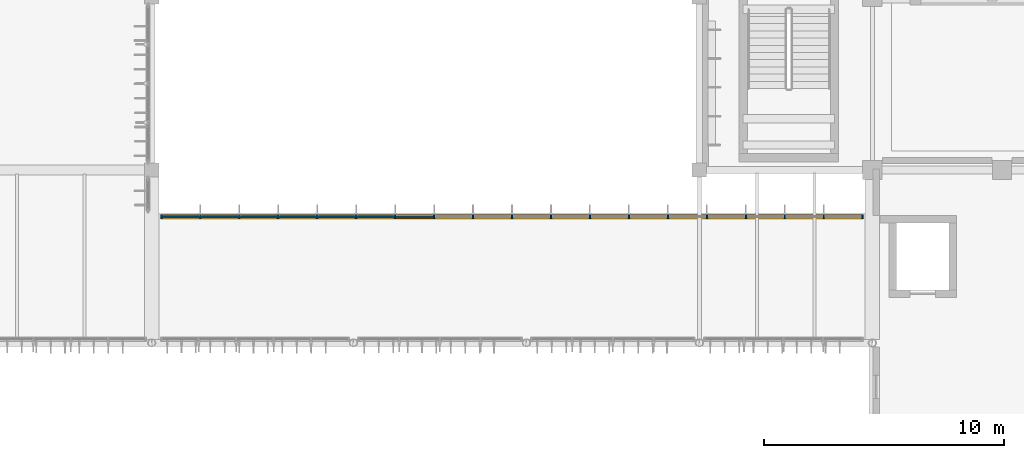
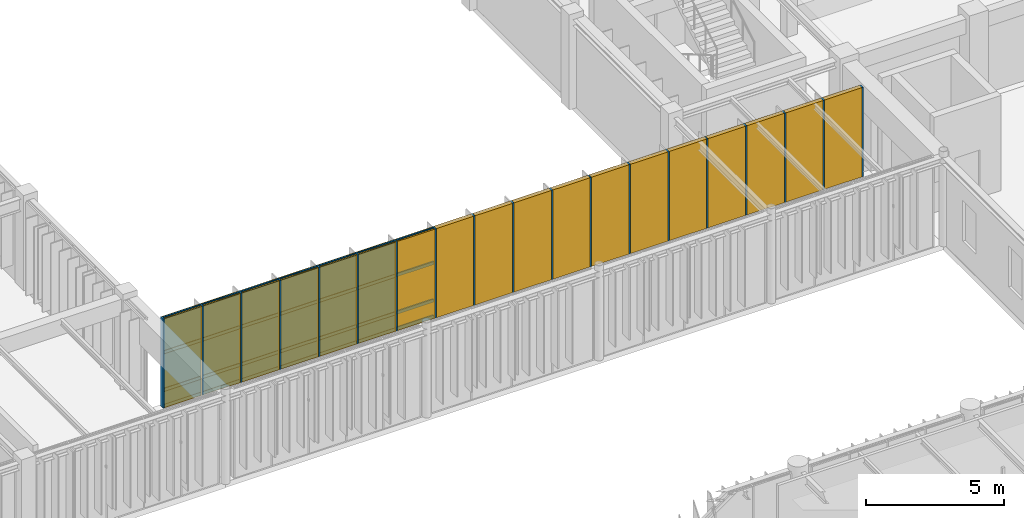
# One storey, part 77 of 122: 47 members, 18 plates, 1 curtain wall.
"""IFC4 building model written with IfcOpenShell, lengths in metres."""

import ifcopenshell
import ifcopenshell.guid

model = None  # the IFC model being written
_history = None  # IfcOwnerHistory: only IFC2X3 demands one
_inside = {}  # id of a spatial element -> (the spatial element, [elements in it])
_under = {}  # id of a project, library or spatial element -> (it, [spatial elements below it])
_declared = {}  # id of a project -> (the project, [libraries it declares])
_typed = {}  # id of a type object -> (the type object, [elements of that type])
_made_of = {}  # id of a material, layer set ... -> (it, [elements and type objects made of it])


def new_model(schema):
    """Start an empty IFC model of exactly this schema.

    Asked for "IFC4X3", IfcOpenShell would pick the latest addendum, in which some entities
    have other attributes; the version numbers below select the first issue.
    IFC2X3 requires an IfcOwnerHistory on every rooted entity: one is made here for all.
    """
    global model, _history
    if schema == "IFC4X3":
        model = ifcopenshell.file(schema_version=(4, 3, 0, 0))
    else:
        model = ifcopenshell.file(schema=schema)
    _inside.clear()
    _under.clear()
    _declared.clear()
    _typed.clear()
    _made_of.clear()
    _history = None
    if model.schema == "IFC2X3":
        org = make("IfcOrganization", Name="unknown")
        user = make(
            "IfcPersonAndOrganization",
            ThePerson=make("IfcPerson", FamilyName="unknown"),
            TheOrganization=org,
        )
        app = make(
            "IfcApplication",
            ApplicationDeveloper=org,
            Version="unknown",
            ApplicationFullName="unknown",
            ApplicationIdentifier="unknown",
        )
        _history = make(
            "IfcOwnerHistory",
            OwningUser=user,
            OwningApplication=app,
            ChangeAction="ADDED",
            CreationDate=0,
        )
    return model


def make(cls, **values):
    """One entity of the class cls with the attributes given. An attribute that is None is left unset."""
    return model.create_entity(
        cls, **{name: value for name, value in values.items() if value is not None}
    )


def rooted(cls, **values):
    """An entity with a GlobalId (a new one), such as an element, a storey or a relation."""
    return make(cls, GlobalId=ifcopenshell.guid.new(), OwnerHistory=_history, **values)


def si_unit(unit_type, name, prefix=None):
    """IfcSIUnit, for example si_unit("LENGTHUNIT", "METRE", prefix="MILLI")."""
    return make("IfcSIUnit", UnitType=unit_type, Prefix=prefix, Name=name)


def assignment(units):
    """IfcUnitAssignment: the units of a project."""
    return None if units is None else make("IfcUnitAssignment", Units=units)


def point(xyz):
    """IfcCartesianPoint."""
    return None if xyz is None else make("IfcCartesianPoint", Coordinates=xyz)


def direction(xyz):
    """IfcDirection."""
    return None if xyz is None else make("IfcDirection", DirectionRatios=xyz)


def frame(location, z_axis=None, x_axis=None):
    """IfcAxis2Placement3D, a coordinate frame: its origin and axes. An axis left out is left unset."""
    return make(
        "IfcAxis2Placement3D",
        Location=point(location),
        Axis=direction(z_axis),
        RefDirection=direction(x_axis),
    )


def frame_2d(location, x_axis=None):
    """IfcAxis2Placement2D, a coordinate frame in the plane: its origin and x axis."""
    return make(
        "IfcAxis2Placement2D", Location=point(location), RefDirection=direction(x_axis)
    )


def origin():
    """The frame at (0, 0, 0) with its axes left unset."""
    return frame((0.0, 0.0, 0.0))


def origin_2d():
    """The frame at (0, 0) in the plane with its x axis left unset."""
    return frame_2d((0.0, 0.0))


def place(relative_to, where):
    """IfcLocalPlacement: puts the frame where relative to a parent placement (None: the world)."""
    return make(
        "IfcLocalPlacement", PlacementRelTo=relative_to, RelativePlacement=where
    )


def context(
    kind, dimensions, precision=None, world=None, true_north=None, identifier=None
):
    """IfcGeometricRepresentationContext, for example the 3D "Model" context."""
    return make(
        "IfcGeometricRepresentationContext",
        ContextIdentifier=identifier,
        ContextType=kind,
        CoordinateSpaceDimension=dimensions,
        Precision=precision,
        WorldCoordinateSystem=world,
        TrueNorth=true_north,
    )


def subcontext(parent, identifier, kind, view, scale=None):
    """IfcGeometricRepresentationSubContext, for example "Body" below "Model"."""
    return make(
        "IfcGeometricRepresentationSubContext",
        ContextIdentifier=identifier,
        ContextType=kind,
        ParentContext=parent,
        TargetScale=scale,
        TargetView=view,
    )


def project(units=None, contexts=None):
    """IfcProject with its units and contexts."""
    return rooted(
        "IfcProject",
        Name="project",
        RepresentationContexts=contexts,
        UnitsInContext=assignment(units),
    )


def spatial(cls, under=None, at=None, **own):
    """A site, building, storey or space (cls), placed at a placement, below another one or the project."""
    s = rooted(cls, ObjectPlacement=at, **own)
    if under is not None:
        _under.setdefault(under.id(), (under, []))[1].append(s)
    return s


def profile(cls, at=None, kind="AREA", **sizes):
    """A parametric profile (cls). Its sizes go by their IFC names, for example OverallWidth=200.0."""
    return make(cls, ProfileType=kind, Position=at, **sizes)


def rectangle(**sizes):
    """IfcRectangleProfileDef."""
    return profile("IfcRectangleProfileDef", **sizes)


def extrude(swept, where, along, depth):
    """IfcExtrudedAreaSolid: the profile swept, set in the frame where, extruded along a direction by depth."""
    return make(
        "IfcExtrudedAreaSolid",
        SweptArea=swept,
        Position=where,
        ExtrudedDirection=direction(along),
        Depth=depth,
    )


def shape(context_of_items, identifier, shape_type, items):
    """IfcShapeRepresentation: the items that make up one representation, for example the "Body"."""
    return make(
        "IfcShapeRepresentation",
        ContextOfItems=context_of_items,
        RepresentationIdentifier=identifier,
        RepresentationType=shape_type,
        Items=items,
    )


def material(Name=None, Category=None):
    """IfcMaterial."""
    return make("IfcMaterial", Name=Name, Category=Category)


def layer(
    of_material, thickness, ventilated=None, Name=None, Category=None, Priority=None
):
    """IfcMaterialLayer: one layer of a wall or slab, of a material (None: an air gap)."""
    return make(
        "IfcMaterialLayer",
        Material=of_material,
        LayerThickness=thickness,
        IsVentilated=ventilated,
        Name=Name,
        Category=Category,
        Priority=Priority,
    )


def layer_set(layers, Name=None):
    """IfcMaterialLayerSet."""
    return make("IfcMaterialLayerSet", MaterialLayers=layers, LayerSetName=Name)


def material_profile(
    of_material, cross_section, Name=None, Category=None, Priority=None
):
    """IfcMaterialProfile: a cross section and its material."""
    return make(
        "IfcMaterialProfile",
        Name=Name,
        Material=of_material,
        Profile=cross_section,
        Priority=Priority,
        Category=Category,
    )


def profile_set(profiles, Name=None, composite=None):
    """IfcMaterialProfileSet."""
    return make(
        "IfcMaterialProfileSet",
        Name=Name,
        MaterialProfiles=profiles,
        CompositeProfile=composite,
    )


def made_of(thing, what):
    """Note that an element or type object is made of a material, layer set ...; save() writes the relation."""
    if what is not None:
        _made_of.setdefault(what.id(), (what, []))[1].append(thing)
    return thing


def type_object(cls, material=None, **own):
    """A type object (cls), such as IfcWallType, which elements share."""
    return made_of(rooted(cls, **own), material)


def element(
    cls,
    number,
    at=None,
    inside=None,
    cuts=None,
    type_object=None,
    material=None,
    context=None,
    identifier="Body",
    shape_type=None,
    held_by="IfcProductDefinitionShape",
    body=None,
    shapes=None,
    **own,
):
    """One element of the class cls, such as IfcWall. Its Tag is "e" and its number.

    at: its placement. inside: the storey or other place that contains it. cuts: it is an
    opening in that element (IfcRelVoidsElement). A single representation is given by context,
    identifier, shape_type and body (its items); several are given by shapes. held_by: the class
    of the entity that holds the representations. save() writes the other relations.
    """
    e = rooted(cls, Tag="e%d" % number, ObjectPlacement=at, **own)
    if body is not None:
        shapes = [shape(context, identifier, shape_type, body)]
    if shapes is not None:
        e.Representation = make(held_by, Representations=shapes)
    if inside is not None:
        _inside.setdefault(inside.id(), (inside, []))[1].append(e)
    if cuts is not None:
        rooted(
            "IfcRelVoidsElement", RelatingBuildingElement=cuts, RelatedOpeningElement=e
        )
    if type_object is not None:
        _typed.setdefault(type_object.id(), (type_object, []))[1].append(e)
    return made_of(e, material)


def aggregate(whole, parts):
    """IfcRelAggregates: a whole, such as a stair, and the parts it consists of."""
    return rooted("IfcRelAggregates", RelatingObject=whole, RelatedObjects=parts)


def save(model, path):
    """Write the relations noted so far, then the file.

    IfcRelAggregates (storeys below a building ...), IfcRelContainedInSpatialStructure (elements
    in a storey), IfcRelDefinesByType, IfcRelAssociatesMaterial and IfcRelDeclares: one each for
    every whole, place, type object, material and project.
    """
    for whole, parts in _under.values():
        aggregate(whole, parts)
    for where, things in _inside.values():
        rooted(
            "IfcRelContainedInSpatialStructure",
            RelatedElements=things,
            RelatingStructure=where,
        )
    for kind, things in _typed.values():
        rooted("IfcRelDefinesByType", RelatedObjects=things, RelatingType=kind)
    for what, things in _made_of.values():
        rooted("IfcRelAssociatesMaterial", RelatedObjects=things, RelatingMaterial=what)
    for by, libraries in _declared.values():
        rooted("IfcRelDeclares", RelatingContext=by, RelatedDefinitions=libraries)
    model.write(path)


model = new_model("IFC4")

# Units and contexts
model_context = context("Model", 3, precision=1e-05, world=origin(), true_north=direction((0.0, 1.0)))
body_context = subcontext(model_context, "Body", "Model", "MODEL_VIEW")
ifc_project = project(units=[si_unit("LENGTHUNIT", "METRE"), si_unit("AREAUNIT", "SQUARE_METRE"), si_unit("VOLUMEUNIT", "CUBIC_METRE"), si_unit("PLANEANGLEUNIT", "RADIAN"), si_unit("MASSUNIT", "GRAM", prefix="KILO")], contexts=[model_context])

# Member
ifc_material_1 = material(Name="Anodised Bronze Aluminium 6063-T6", Category="aluminium")
ifc_material_profile_1 = material_profile(ifc_material_1, rectangle(XDim=0.06005859375, YDim=0.179931640625, at=origin_2d()), Name="ALU MULLION 60x180")
ifc_profile_set_1 = profile_set([ifc_material_profile_1], Name="Anodised Bronze Aluminium 6063-T6")
member_type_1 = type_object("IfcMemberType", Name="Curtain-Wall Primary Mullion 60x180", PredefinedType="MULLION", material=ifc_profile_set_1)
site_placement = place(None, origin())
building_placement = place(site_placement, origin())
storey_placement = place(building_placement, frame((0.0, 0.0, 4.800048828125)))
member_1_placement = place(storey_placement, frame((28.0, 49.85009765625, 0.0), z_axis=(0.0, 0.0, 1.0), x_axis=(1.0, 0.0, 0.0)))
member_1 = element("IfcMember", 1, at=member_1_placement, type_object=member_type_1, Name="Mullion CWM-01 CW-WLNK-N-L01-M01", PredefinedType="MULLION", context=body_context, shape_type="SweptSolid", body=[
    extrude(rectangle(XDim=0.06005859375, YDim=0.179931640625, at=origin_2d()), origin(), (0.0, 0.0, 1.0), 3.93994140625),
])

member_2_placement = place(storey_placement, frame((29.622314453125, 49.85009765625, 0.0), z_axis=(0.0, 0.0, 1.0), x_axis=(1.0, 0.0, 0.0)))
member_2 = element("IfcMember", 2, at=member_2_placement, type_object=member_type_1, Name="Mullion CWM-01 CW-WLNK-N-L01-M02", PredefinedType="MULLION", context=body_context, shape_type="SweptSolid", body=[
    extrude(rectangle(XDim=0.06005859375, YDim=0.179931640625, at=origin_2d()), origin(), (0.0, 0.0, 1.0), 3.93994140625),
])

member_3_placement = place(storey_placement, frame((31.244384765625, 49.85009765625, 0.0), z_axis=(0.0, 0.0, 1.0), x_axis=(1.0, 0.0, 0.0)))
member_3 = element("IfcMember", 3, at=member_3_placement, type_object=member_type_1, Name="Mullion CWM-01 CW-WLNK-N-L01-M03", PredefinedType="MULLION", context=body_context, shape_type="SweptSolid", body=[
    extrude(rectangle(XDim=0.06005859375, YDim=0.179931640625, at=origin_2d()), origin(), (0.0, 0.0, 1.0), 3.93994140625),
])

member_4_placement = place(storey_placement, frame((32.86669921875, 49.85009765625, 0.0), z_axis=(0.0, 0.0, 1.0), x_axis=(1.0, 0.0, 0.0)))
member_4 = element("IfcMember", 4, at=member_4_placement, type_object=member_type_1, Name="Mullion CWM-01 CW-WLNK-N-L01-M04", PredefinedType="MULLION", context=body_context, shape_type="SweptSolid", body=[
    extrude(rectangle(XDim=0.06005859375, YDim=0.179931640625, at=origin_2d()), origin(), (0.0, 0.0, 1.0), 3.93994140625),
])

member_5_placement = place(storey_placement, frame((34.489013671875, 49.85009765625, 0.0), z_axis=(0.0, 0.0, 1.0), x_axis=(1.0, 0.0, 0.0)))
member_5 = element("IfcMember", 5, at=member_5_placement, type_object=member_type_1, Name="Mullion CWM-01 CW-WLNK-N-L01-M05", PredefinedType="MULLION", context=body_context, shape_type="SweptSolid", body=[
    extrude(rectangle(XDim=0.06005859375, YDim=0.179931640625, at=origin_2d()), origin(), (0.0, 0.0, 1.0), 3.93994140625),
])

member_6_placement = place(storey_placement, frame((36.111083984375, 49.85009765625, 0.0), z_axis=(0.0, 0.0, 1.0), x_axis=(1.0, 0.0, 0.0)))
member_6 = element("IfcMember", 6, at=member_6_placement, type_object=member_type_1, Name="Mullion CWM-01 CW-WLNK-N-L01-M06", PredefinedType="MULLION", context=body_context, shape_type="SweptSolid", body=[
    extrude(rectangle(XDim=0.06005859375, YDim=0.179931640625, at=origin_2d()), origin(), (0.0, 0.0, 1.0), 3.93994140625),
])

member_7_placement = place(storey_placement, frame((37.7333984375, 49.85009765625, 0.0), z_axis=(0.0, 0.0, 1.0), x_axis=(1.0, 0.0, 0.0)))
member_7 = element("IfcMember", 7, at=member_7_placement, type_object=member_type_1, Name="Mullion CWM-01 CW-WLNK-N-L01-M07", PredefinedType="MULLION", context=body_context, shape_type="SweptSolid", body=[
    extrude(rectangle(XDim=0.06005859375, YDim=0.179931640625, at=origin_2d()), origin(), (0.0, 0.0, 1.0), 3.93994140625),
])

member_8_placement = place(storey_placement, frame((39.355712890625, 49.85009765625, 0.0), z_axis=(0.0, 0.0, 1.0), x_axis=(1.0, 0.0, 0.0)))
member_8 = element("IfcMember", 8, at=member_8_placement, type_object=member_type_1, Name="Mullion CWM-01 CW-WLNK-N-L01-M08", PredefinedType="MULLION", context=body_context, shape_type="SweptSolid", body=[
    extrude(rectangle(XDim=0.06005859375, YDim=0.179931640625, at=origin_2d()), origin(), (0.0, 0.0, 1.0), 3.93994140625),
])

member_9_placement = place(storey_placement, frame((40.977783203125, 49.85009765625, 0.0), z_axis=(0.0, 0.0, 1.0), x_axis=(1.0, 0.0, 0.0)))
member_9 = element("IfcMember", 9, at=member_9_placement, type_object=member_type_1, Name="Mullion CWM-01 CW-WLNK-N-L01-M09", PredefinedType="MULLION", context=body_context, shape_type="SweptSolid", body=[
    extrude(rectangle(XDim=0.06005859375, YDim=0.179931640625, at=origin_2d()), origin(), (0.0, 0.0, 1.0), 3.93994140625),
])

member_10_placement = place(storey_placement, frame((42.60009765625, 49.85009765625, 0.0), z_axis=(0.0, 0.0, 1.0), x_axis=(1.0, 0.0, 0.0)))
member_10 = element("IfcMember", 10, at=member_10_placement, type_object=member_type_1, Name="Mullion CWM-01 CW-WLNK-N-L01-M10", PredefinedType="MULLION", context=body_context, shape_type="SweptSolid", body=[
    extrude(rectangle(XDim=0.06005859375, YDim=0.179931640625, at=origin_2d()), origin(), (0.0, 0.0, 1.0), 3.93994140625),
])

member_11_placement = place(storey_placement, frame((44.22216796875, 49.85009765625, 0.0), z_axis=(0.0, 0.0, 1.0), x_axis=(1.0, 0.0, 0.0)))
member_11 = element("IfcMember", 11, at=member_11_placement, type_object=member_type_1, Name="Mullion CWM-01 CW-WLNK-N-L01-M11", PredefinedType="MULLION", context=body_context, shape_type="SweptSolid", body=[
    extrude(rectangle(XDim=0.06005859375, YDim=0.179931640625, at=origin_2d()), origin(), (0.0, 0.0, 1.0), 3.93994140625),
])

member_12_placement = place(storey_placement, frame((45.844482421875, 49.85009765625, 0.0), z_axis=(0.0, 0.0, 1.0), x_axis=(1.0, 0.0, 0.0)))
member_12 = element("IfcMember", 12, at=member_12_placement, type_object=member_type_1, Name="Mullion CWM-01 CW-WLNK-N-L01-M12", PredefinedType="MULLION", context=body_context, shape_type="SweptSolid", body=[
    extrude(rectangle(XDim=0.06005859375, YDim=0.179931640625, at=origin_2d()), origin(), (0.0, 0.0, 1.0), 3.93994140625),
])

member_13_placement = place(storey_placement, frame((47.466796875, 49.85009765625, 0.0), z_axis=(0.0, 0.0, 1.0), x_axis=(1.0, 0.0, 0.0)))
member_13 = element("IfcMember", 13, at=member_13_placement, type_object=member_type_1, Name="Mullion CWM-01 CW-WLNK-N-L01-M13", PredefinedType="MULLION", context=body_context, shape_type="SweptSolid", body=[
    extrude(rectangle(XDim=0.06005859375, YDim=0.179931640625, at=origin_2d()), origin(), (0.0, 0.0, 1.0), 3.93994140625),
])

member_14_placement = place(storey_placement, frame((49.0888671875, 49.85009765625, 0.0), z_axis=(0.0, 0.0, 1.0), x_axis=(1.0, 0.0, 0.0)))
member_14 = element("IfcMember", 14, at=member_14_placement, type_object=member_type_1, Name="Mullion CWM-01 CW-WLNK-N-L01-M14", PredefinedType="MULLION", context=body_context, shape_type="SweptSolid", body=[
    extrude(rectangle(XDim=0.06005859375, YDim=0.179931640625, at=origin_2d()), origin(), (0.0, 0.0, 1.0), 3.93994140625),
])

member_15_placement = place(storey_placement, frame((50.711181640625, 49.85009765625, 0.0), z_axis=(0.0, 0.0, 1.0), x_axis=(1.0, 0.0, 0.0)))
member_15 = element("IfcMember", 15, at=member_15_placement, type_object=member_type_1, Name="Mullion CWM-01 CW-WLNK-N-L01-M15", PredefinedType="MULLION", context=body_context, shape_type="SweptSolid", body=[
    extrude(rectangle(XDim=0.06005859375, YDim=0.179931640625, at=origin_2d()), origin(), (0.0, 0.0, 1.0), 3.93994140625),
])

member_16_placement = place(storey_placement, frame((52.333251953125, 49.85009765625, 0.0), z_axis=(0.0, 0.0, 1.0), x_axis=(1.0, 0.0, 0.0)))
member_16 = element("IfcMember", 16, at=member_16_placement, type_object=member_type_1, Name="Mullion CWM-01 CW-WLNK-N-L01-M16", PredefinedType="MULLION", context=body_context, shape_type="SweptSolid", body=[
    extrude(rectangle(XDim=0.06005859375, YDim=0.179931640625, at=origin_2d()), origin(), (0.0, 0.0, 1.0), 3.93994140625),
])

member_17_placement = place(storey_placement, frame((53.95556640625, 49.85009765625, 0.0), z_axis=(0.0, 0.0, 1.0), x_axis=(1.0, 0.0, 0.0)))
member_17 = element("IfcMember", 17, at=member_17_placement, type_object=member_type_1, Name="Mullion CWM-01 CW-WLNK-N-L01-M17", PredefinedType="MULLION", context=body_context, shape_type="SweptSolid", body=[
    extrude(rectangle(XDim=0.06005859375, YDim=0.179931640625, at=origin_2d()), origin(), (0.0, 0.0, 1.0), 3.93994140625),
])

member_18_placement = place(storey_placement, frame((55.577880859375, 49.85009765625, 0.0), z_axis=(0.0, 0.0, 1.0), x_axis=(1.0, 0.0, 0.0)))
member_18 = element("IfcMember", 18, at=member_18_placement, type_object=member_type_1, Name="Mullion CWM-01 CW-WLNK-N-L01-M18", PredefinedType="MULLION", context=body_context, shape_type="SweptSolid", body=[
    extrude(rectangle(XDim=0.06005859375, YDim=0.179931640625, at=origin_2d()), origin(), (0.0, 0.0, 1.0), 3.93994140625),
])

member_19_placement = place(storey_placement, frame((57.199951171875, 49.85009765625, 0.0), z_axis=(0.0, 0.0, 1.0), x_axis=(1.0, 0.0, 0.0)))
member_19 = element("IfcMember", 19, at=member_19_placement, type_object=member_type_1, Name="Mullion CWM-01 CW-WLNK-N-L01-M19", PredefinedType="MULLION", context=body_context, shape_type="SweptSolid", body=[
    extrude(rectangle(XDim=0.06005859375, YDim=0.179931640625, at=origin_2d()), origin(), (0.0, 0.0, 1.0), 3.93994140625),
])

ifc_material_profile_2 = material_profile(ifc_material_1, rectangle(XDim=0.06005859375, YDim=0.139892578125, at=origin_2d()), Name="ALU TRANSOM 60x140")
ifc_profile_set_2 = profile_set([ifc_material_profile_2], Name="Anodised Bronze Aluminium 6063-T6")
member_type_2 = type_object("IfcMemberType", Name="Curtain-Wall Transom 60x140", PredefinedType="USERDEFINED", material=ifc_profile_set_2)
member_20_placement = place(storey_placement, frame((28.034912109375, 49.85009765625, 0.0400390625), z_axis=(1.0, 0.0, 0.0), x_axis=(0.0, 1.0, 0.0)))
member_20 = element("IfcMember", 20, at=member_20_placement, type_object=member_type_2, Name="Transom CWT-01 CW-WLNK-N-L01-T01.1", ObjectType="TRANSOM", PredefinedType="USERDEFINED", context=body_context, shape_type="SweptSolid", body=[
    extrude(rectangle(XDim=0.06005859375, YDim=0.139892578125, at=origin_2d()), origin(), (0.0, 0.0, 1.0), 1.55224609375),
])

member_21_placement = place(storey_placement, frame((28.034912109375, 49.85009765625, 0.75), z_axis=(1.0, 0.0, 0.0), x_axis=(0.0, 1.0, 0.0)))
member_21 = element("IfcMember", 21, at=member_21_placement, type_object=member_type_2, Name="Transom CWT-01 CW-WLNK-N-L01-T01.2", ObjectType="TRANSOM", PredefinedType="USERDEFINED", context=body_context, shape_type="SweptSolid", body=[
    extrude(rectangle(XDim=0.06005859375, YDim=0.139892578125, at=origin_2d()), origin(), (0.0, 0.0, 1.0), 1.55224609375),
])

member_22_placement = place(storey_placement, frame((28.034912109375, 49.85009765625, 2.40869140625), z_axis=(1.0, 0.0, 0.0), x_axis=(0.0, 1.0, 0.0)))
member_22 = element("IfcMember", 22, at=member_22_placement, type_object=member_type_2, Name="Transom CWT-01 CW-WLNK-N-L01-T01.3", ObjectType="TRANSOM", PredefinedType="USERDEFINED", context=body_context, shape_type="SweptSolid", body=[
    extrude(rectangle(XDim=0.06005859375, YDim=0.139892578125, at=origin_2d()), origin(), (0.0, 0.0, 1.0), 1.55224609375),
])

member_23_placement = place(storey_placement, frame((28.034912109375, 49.85009765625, 3.89990234375), z_axis=(1.0, 0.0, 0.0), x_axis=(0.0, 1.0, 0.0)))
member_23 = element("IfcMember", 23, at=member_23_placement, type_object=member_type_2, Name="Transom CWT-01 CW-WLNK-N-L01-T01.4", ObjectType="TRANSOM", PredefinedType="USERDEFINED", context=body_context, shape_type="SweptSolid", body=[
    extrude(rectangle(XDim=0.06005859375, YDim=0.139892578125, at=origin_2d()), origin(), (0.0, 0.0, 1.0), 1.55224609375),
])

member_24_placement = place(storey_placement, frame((29.6572265625, 49.85009765625, 0.0400390625), z_axis=(1.0, 0.0, 0.0), x_axis=(0.0, 1.0, 0.0)))
member_24 = element("IfcMember", 24, at=member_24_placement, type_object=member_type_2, Name="Transom CWT-01 CW-WLNK-N-L01-T02.1", ObjectType="TRANSOM", PredefinedType="USERDEFINED", context=body_context, shape_type="SweptSolid", body=[
    extrude(rectangle(XDim=0.06005859375, YDim=0.139892578125, at=origin_2d()), origin(), (0.0, 0.0, 1.0), 1.55224609375),
])

member_25_placement = place(storey_placement, frame((29.6572265625, 49.85009765625, 0.75), z_axis=(1.0, 0.0, 0.0), x_axis=(0.0, 1.0, 0.0)))
member_25 = element("IfcMember", 25, at=member_25_placement, type_object=member_type_2, Name="Transom CWT-01 CW-WLNK-N-L01-T02.2", ObjectType="TRANSOM", PredefinedType="USERDEFINED", context=body_context, shape_type="SweptSolid", body=[
    extrude(rectangle(XDim=0.06005859375, YDim=0.139892578125, at=origin_2d()), origin(), (0.0, 0.0, 1.0), 1.55224609375),
])

member_26_placement = place(storey_placement, frame((29.6572265625, 49.85009765625, 2.40869140625), z_axis=(1.0, 0.0, 0.0), x_axis=(0.0, 1.0, 0.0)))
member_26 = element("IfcMember", 26, at=member_26_placement, type_object=member_type_2, Name="Transom CWT-01 CW-WLNK-N-L01-T02.3", ObjectType="TRANSOM", PredefinedType="USERDEFINED", context=body_context, shape_type="SweptSolid", body=[
    extrude(rectangle(XDim=0.06005859375, YDim=0.139892578125, at=origin_2d()), origin(), (0.0, 0.0, 1.0), 1.55224609375),
])

member_27_placement = place(storey_placement, frame((29.6572265625, 49.85009765625, 3.89990234375), z_axis=(1.0, 0.0, 0.0), x_axis=(0.0, 1.0, 0.0)))
member_27 = element("IfcMember", 27, at=member_27_placement, type_object=member_type_2, Name="Transom CWT-01 CW-WLNK-N-L01-T02.4", ObjectType="TRANSOM", PredefinedType="USERDEFINED", context=body_context, shape_type="SweptSolid", body=[
    extrude(rectangle(XDim=0.06005859375, YDim=0.139892578125, at=origin_2d()), origin(), (0.0, 0.0, 1.0), 1.55224609375),
])

member_28_placement = place(storey_placement, frame((31.279296875, 49.85009765625, 0.0400390625), z_axis=(1.0, 0.0, 0.0), x_axis=(0.0, 1.0, 0.0)))
member_28 = element("IfcMember", 28, at=member_28_placement, type_object=member_type_2, Name="Transom CWT-01 CW-WLNK-N-L01-T03.1", ObjectType="TRANSOM", PredefinedType="USERDEFINED", context=body_context, shape_type="SweptSolid", body=[
    extrude(rectangle(XDim=0.06005859375, YDim=0.139892578125, at=origin_2d()), origin(), (0.0, 0.0, 1.0), 1.552490234375),
])

member_29_placement = place(storey_placement, frame((31.279296875, 49.85009765625, 0.75), z_axis=(1.0, 0.0, 0.0), x_axis=(0.0, 1.0, 0.0)))
member_29 = element("IfcMember", 29, at=member_29_placement, type_object=member_type_2, Name="Transom CWT-01 CW-WLNK-N-L01-T03.2", ObjectType="TRANSOM", PredefinedType="USERDEFINED", context=body_context, shape_type="SweptSolid", body=[
    extrude(rectangle(XDim=0.06005859375, YDim=0.139892578125, at=origin_2d()), origin(), (0.0, 0.0, 1.0), 1.552490234375),
])

member_30_placement = place(storey_placement, frame((31.279296875, 49.85009765625, 2.40869140625), z_axis=(1.0, 0.0, 0.0), x_axis=(0.0, 1.0, 0.0)))
member_30 = element("IfcMember", 30, at=member_30_placement, type_object=member_type_2, Name="Transom CWT-01 CW-WLNK-N-L01-T03.3", ObjectType="TRANSOM", PredefinedType="USERDEFINED", context=body_context, shape_type="SweptSolid", body=[
    extrude(rectangle(XDim=0.06005859375, YDim=0.139892578125, at=origin_2d()), origin(), (0.0, 0.0, 1.0), 1.552490234375),
])

member_31_placement = place(storey_placement, frame((31.279296875, 49.85009765625, 3.89990234375), z_axis=(1.0, 0.0, 0.0), x_axis=(0.0, 1.0, 0.0)))
member_31 = element("IfcMember", 31, at=member_31_placement, type_object=member_type_2, Name="Transom CWT-01 CW-WLNK-N-L01-T03.4", ObjectType="TRANSOM", PredefinedType="USERDEFINED", context=body_context, shape_type="SweptSolid", body=[
    extrude(rectangle(XDim=0.06005859375, YDim=0.139892578125, at=origin_2d()), origin(), (0.0, 0.0, 1.0), 1.552490234375),
])

member_32_placement = place(storey_placement, frame((32.901611328125, 49.85009765625, 0.0400390625), z_axis=(1.0, 0.0, 0.0), x_axis=(0.0, 1.0, 0.0)))
member_32 = element("IfcMember", 32, at=member_32_placement, type_object=member_type_2, Name="Transom CWT-01 CW-WLNK-N-L01-T04.1", ObjectType="TRANSOM", PredefinedType="USERDEFINED", context=body_context, shape_type="SweptSolid", body=[
    extrude(rectangle(XDim=0.06005859375, YDim=0.139892578125, at=origin_2d()), origin(), (0.0, 0.0, 1.0), 1.55224609375),
])

member_33_placement = place(storey_placement, frame((32.901611328125, 49.85009765625, 0.75), z_axis=(1.0, 0.0, 0.0), x_axis=(0.0, 1.0, 0.0)))
member_33 = element("IfcMember", 33, at=member_33_placement, type_object=member_type_2, Name="Transom CWT-01 CW-WLNK-N-L01-T04.2", ObjectType="TRANSOM", PredefinedType="USERDEFINED", context=body_context, shape_type="SweptSolid", body=[
    extrude(rectangle(XDim=0.06005859375, YDim=0.139892578125, at=origin_2d()), origin(), (0.0, 0.0, 1.0), 1.55224609375),
])

member_34_placement = place(storey_placement, frame((32.901611328125, 49.85009765625, 2.40869140625), z_axis=(1.0, 0.0, 0.0), x_axis=(0.0, 1.0, 0.0)))
member_34 = element("IfcMember", 34, at=member_34_placement, type_object=member_type_2, Name="Transom CWT-01 CW-WLNK-N-L01-T04.3", ObjectType="TRANSOM", PredefinedType="USERDEFINED", context=body_context, shape_type="SweptSolid", body=[
    extrude(rectangle(XDim=0.06005859375, YDim=0.139892578125, at=origin_2d()), origin(), (0.0, 0.0, 1.0), 1.55224609375),
])

member_35_placement = place(storey_placement, frame((32.901611328125, 49.85009765625, 3.89990234375), z_axis=(1.0, 0.0, 0.0), x_axis=(0.0, 1.0, 0.0)))
member_35 = element("IfcMember", 35, at=member_35_placement, type_object=member_type_2, Name="Transom CWT-01 CW-WLNK-N-L01-T04.4", ObjectType="TRANSOM", PredefinedType="USERDEFINED", context=body_context, shape_type="SweptSolid", body=[
    extrude(rectangle(XDim=0.06005859375, YDim=0.139892578125, at=origin_2d()), origin(), (0.0, 0.0, 1.0), 1.55224609375),
])

member_36_placement = place(storey_placement, frame((34.52392578125, 49.85009765625, 0.0400390625), z_axis=(1.0, 0.0, 0.0), x_axis=(0.0, 1.0, 0.0)))
member_36 = element("IfcMember", 36, at=member_36_placement, type_object=member_type_2, Name="Transom CWT-01 CW-WLNK-N-L01-T05.1", ObjectType="TRANSOM", PredefinedType="USERDEFINED", context=body_context, shape_type="SweptSolid", body=[
    extrude(rectangle(XDim=0.06005859375, YDim=0.139892578125, at=origin_2d()), origin(), (0.0, 0.0, 1.0), 1.55224609375),
])

member_37_placement = place(storey_placement, frame((34.52392578125, 49.85009765625, 0.75), z_axis=(1.0, 0.0, 0.0), x_axis=(0.0, 1.0, 0.0)))
member_37 = element("IfcMember", 37, at=member_37_placement, type_object=member_type_2, Name="Transom CWT-01 CW-WLNK-N-L01-T05.2", ObjectType="TRANSOM", PredefinedType="USERDEFINED", context=body_context, shape_type="SweptSolid", body=[
    extrude(rectangle(XDim=0.06005859375, YDim=0.139892578125, at=origin_2d()), origin(), (0.0, 0.0, 1.0), 1.55224609375),
])

member_38_placement = place(storey_placement, frame((34.52392578125, 49.85009765625, 2.40869140625), z_axis=(1.0, 0.0, 0.0), x_axis=(0.0, 1.0, 0.0)))
member_38 = element("IfcMember", 38, at=member_38_placement, type_object=member_type_2, Name="Transom CWT-01 CW-WLNK-N-L01-T05.3", ObjectType="TRANSOM", PredefinedType="USERDEFINED", context=body_context, shape_type="SweptSolid", body=[
    extrude(rectangle(XDim=0.06005859375, YDim=0.139892578125, at=origin_2d()), origin(), (0.0, 0.0, 1.0), 1.55224609375),
])

member_39_placement = place(storey_placement, frame((34.52392578125, 49.85009765625, 3.89990234375), z_axis=(1.0, 0.0, 0.0), x_axis=(0.0, 1.0, 0.0)))
member_39 = element("IfcMember", 39, at=member_39_placement, type_object=member_type_2, Name="Transom CWT-01 CW-WLNK-N-L01-T05.4", ObjectType="TRANSOM", PredefinedType="USERDEFINED", context=body_context, shape_type="SweptSolid", body=[
    extrude(rectangle(XDim=0.06005859375, YDim=0.139892578125, at=origin_2d()), origin(), (0.0, 0.0, 1.0), 1.55224609375),
])

member_40_placement = place(storey_placement, frame((36.14599609375, 49.85009765625, 0.0400390625), z_axis=(1.0, 0.0, 0.0), x_axis=(0.0, 1.0, 0.0)))
member_40 = element("IfcMember", 40, at=member_40_placement, type_object=member_type_2, Name="Transom CWT-01 CW-WLNK-N-L01-T06.1", ObjectType="TRANSOM", PredefinedType="USERDEFINED", context=body_context, shape_type="SweptSolid", body=[
    extrude(rectangle(XDim=0.06005859375, YDim=0.139892578125, at=origin_2d()), origin(), (0.0, 0.0, 1.0), 1.55224609375),
])

member_41_placement = place(storey_placement, frame((36.14599609375, 49.85009765625, 0.75), z_axis=(1.0, 0.0, 0.0), x_axis=(0.0, 1.0, 0.0)))
member_41 = element("IfcMember", 41, at=member_41_placement, type_object=member_type_2, Name="Transom CWT-01 CW-WLNK-N-L01-T06.2", ObjectType="TRANSOM", PredefinedType="USERDEFINED", context=body_context, shape_type="SweptSolid", body=[
    extrude(rectangle(XDim=0.06005859375, YDim=0.139892578125, at=origin_2d()), origin(), (0.0, 0.0, 1.0), 1.55224609375),
])

member_42_placement = place(storey_placement, frame((36.14599609375, 49.85009765625, 2.40869140625), z_axis=(1.0, 0.0, 0.0), x_axis=(0.0, 1.0, 0.0)))
member_42 = element("IfcMember", 42, at=member_42_placement, type_object=member_type_2, Name="Transom CWT-01 CW-WLNK-N-L01-T06.3", ObjectType="TRANSOM", PredefinedType="USERDEFINED", context=body_context, shape_type="SweptSolid", body=[
    extrude(rectangle(XDim=0.06005859375, YDim=0.139892578125, at=origin_2d()), origin(), (0.0, 0.0, 1.0), 1.55224609375),
])

member_43_placement = place(storey_placement, frame((36.14599609375, 49.85009765625, 3.89990234375), z_axis=(1.0, 0.0, 0.0), x_axis=(0.0, 1.0, 0.0)))
member_43 = element("IfcMember", 43, at=member_43_placement, type_object=member_type_2, Name="Transom CWT-01 CW-WLNK-N-L01-T06.4", ObjectType="TRANSOM", PredefinedType="USERDEFINED", context=body_context, shape_type="SweptSolid", body=[
    extrude(rectangle(XDim=0.06005859375, YDim=0.139892578125, at=origin_2d()), origin(), (0.0, 0.0, 1.0), 1.55224609375),
])

member_44_placement = place(storey_placement, frame((37.768310546875, 49.85009765625, 0.0400390625), z_axis=(1.0, 0.0, 0.0), x_axis=(0.0, 1.0, 0.0)))
member_44 = element("IfcMember", 44, at=member_44_placement, type_object=member_type_2, Name="Transom CWT-01 CW-WLNK-N-L01-T07.1", ObjectType="TRANSOM", PredefinedType="USERDEFINED", context=body_context, shape_type="SweptSolid", body=[
    extrude(rectangle(XDim=0.06005859375, YDim=0.139892578125, at=origin_2d()), origin(), (0.0, 0.0, 1.0), 1.55224609375),
])

member_45_placement = place(storey_placement, frame((37.768310546875, 49.85009765625, 0.75), z_axis=(1.0, 0.0, 0.0), x_axis=(0.0, 1.0, 0.0)))
member_45 = element("IfcMember", 45, at=member_45_placement, type_object=member_type_2, Name="Transom CWT-01 CW-WLNK-N-L01-T07.2", ObjectType="TRANSOM", PredefinedType="USERDEFINED", context=body_context, shape_type="SweptSolid", body=[
    extrude(rectangle(XDim=0.06005859375, YDim=0.139892578125, at=origin_2d()), origin(), (0.0, 0.0, 1.0), 1.55224609375),
])

member_46_placement = place(storey_placement, frame((37.768310546875, 49.85009765625, 2.40869140625), z_axis=(1.0, 0.0, 0.0), x_axis=(0.0, 1.0, 0.0)))
member_46 = element("IfcMember", 46, at=member_46_placement, type_object=member_type_2, Name="Transom CWT-01 CW-WLNK-N-L01-T07.3", ObjectType="TRANSOM", PredefinedType="USERDEFINED", context=body_context, shape_type="SweptSolid", body=[
    extrude(rectangle(XDim=0.06005859375, YDim=0.139892578125, at=origin_2d()), origin(), (0.0, 0.0, 1.0), 1.55224609375),
])

member_47_placement = place(storey_placement, frame((37.768310546875, 49.85009765625, 3.89990234375), z_axis=(1.0, 0.0, 0.0), x_axis=(0.0, 1.0, 0.0)))
member_47 = element("IfcMember", 47, at=member_47_placement, type_object=member_type_2, Name="Transom CWT-01 CW-WLNK-N-L01-T07.4", ObjectType="TRANSOM", PredefinedType="USERDEFINED", context=body_context, shape_type="SweptSolid", body=[
    extrude(rectangle(XDim=0.06005859375, YDim=0.139892578125, at=origin_2d()), origin(), (0.0, 0.0, 1.0), 1.55224609375),
])

# Plate
ifc_material_2 = material(Name="Insulated Bronze Aluminium Spandrel Panel", Category="aluminium")
ifc_layer_1 = layer(ifc_material_2, 0.050048828125, Name="Insulated Bronze Aluminium Spandrel Panel")
ifc_layer_set_1 = layer_set([ifc_layer_1], Name="Insulated Bronze Aluminium Spandrel Panel")
plate_type_1 = type_object("IfcPlateType", Name="Insulated Anodised Aluminium Spandrel Cassette 50", PredefinedType="CURTAIN_PANEL", material=ifc_layer_set_1)
plate_1_placement = place(storey_placement, frame((28.81103515625, 49.85009765625, 0.070068359375), z_axis=(0.0, 0.0, 1.0), x_axis=(1.0, 0.0, 0.0)))
plate_1 = element("IfcPlate", 48, at=plate_1_placement, type_object=plate_type_1, Name="Curtain Panel CWP-03 CW-WLNK-N-L01-P01.1", PredefinedType="CURTAIN_PANEL", context=body_context, shape_type="SweptSolid", body=[
    extrude(rectangle(XDim=1.55224609375, YDim=0.050048828125, at=origin_2d()), origin(), (0.0, 0.0, 1.0), 0.64990234375),
])

plate_2_placement = place(storey_placement, frame((30.433349609375, 49.85009765625, 0.070068359375), z_axis=(0.0, 0.0, 1.0), x_axis=(1.0, 0.0, 0.0)))
plate_2 = element("IfcPlate", 49, at=plate_2_placement, type_object=plate_type_1, Name="Curtain Panel CWP-03 CW-WLNK-N-L01-P02.1", PredefinedType="CURTAIN_PANEL", context=body_context, shape_type="SweptSolid", body=[
    extrude(rectangle(XDim=1.55224609375, YDim=0.050048828125, at=origin_2d()), origin(), (0.0, 0.0, 1.0), 0.64990234375),
])

plate_3_placement = place(storey_placement, frame((32.0556640625, 49.85009765625, 0.070068359375), z_axis=(0.0, 0.0, 1.0), x_axis=(1.0, 0.0, 0.0)))
plate_3 = element("IfcPlate", 50, at=plate_3_placement, type_object=plate_type_1, Name="Curtain Panel CWP-03 CW-WLNK-N-L01-P03.1", PredefinedType="CURTAIN_PANEL", context=body_context, shape_type="SweptSolid", body=[
    extrude(rectangle(XDim=1.55224609375, YDim=0.050048828125, at=origin_2d()), origin(), (0.0, 0.0, 1.0), 0.64990234375),
])

plate_4_placement = place(storey_placement, frame((33.677734375, 49.85009765625, 0.070068359375), z_axis=(0.0, 0.0, 1.0), x_axis=(1.0, 0.0, 0.0)))
plate_4 = element("IfcPlate", 51, at=plate_4_placement, type_object=plate_type_1, Name="Curtain Panel CWP-03 CW-WLNK-N-L01-P04.1", PredefinedType="CURTAIN_PANEL", context=body_context, shape_type="SweptSolid", body=[
    extrude(rectangle(XDim=1.55224609375, YDim=0.050048828125, at=origin_2d()), origin(), (0.0, 0.0, 1.0), 0.64990234375),
])

plate_5_placement = place(storey_placement, frame((35.300048828125, 49.85009765625, 0.070068359375), z_axis=(0.0, 0.0, 1.0), x_axis=(1.0, 0.0, 0.0)))
plate_5 = element("IfcPlate", 52, at=plate_5_placement, type_object=plate_type_1, Name="Curtain Panel CWP-03 CW-WLNK-N-L01-P05.1", PredefinedType="CURTAIN_PANEL", context=body_context, shape_type="SweptSolid", body=[
    extrude(rectangle(XDim=1.55224609375, YDim=0.050048828125, at=origin_2d()), origin(), (0.0, 0.0, 1.0), 0.64990234375),
])

plate_6_placement = place(storey_placement, frame((36.922119140625, 49.85009765625, 0.070068359375), z_axis=(0.0, 0.0, 1.0), x_axis=(1.0, 0.0, 0.0)))
plate_6 = element("IfcPlate", 53, at=plate_6_placement, type_object=plate_type_1, Name="Curtain Panel CWP-03 CW-WLNK-N-L01-P06.1", PredefinedType="CURTAIN_PANEL", context=body_context, shape_type="SweptSolid", body=[
    extrude(rectangle(XDim=1.55224609375, YDim=0.050048828125, at=origin_2d()), origin(), (0.0, 0.0, 1.0), 0.64990234375),
])

ifc_material_3 = material(Name="Solar-Control Tempered Double Glazing", Category="glass")
ifc_layer_2 = layer(ifc_material_3, 0.0380859375, Name="Solar-Control Tempered Double Glazing")
ifc_layer_set_2 = layer_set([ifc_layer_2], Name="Solar-Control Tempered Double Glazing")
plate_type_2 = type_object("IfcPlateType", Name="Solar-Control Vision Glazing Unit 38", PredefinedType="CURTAIN_PANEL", material=ifc_layer_set_2)
plate_7_placement = place(storey_placement, frame((28.81103515625, 49.85009765625, 0.77978515625), z_axis=(0.0, 0.0, 1.0), x_axis=(1.0, 0.0, 0.0)))
plate_7 = element("IfcPlate", 54, at=plate_7_placement, type_object=plate_type_2, Name="Curtain Panel CWP-02 CW-WLNK-N-L01-P01.2", PredefinedType="CURTAIN_PANEL", context=body_context, shape_type="SweptSolid", body=[
    extrude(rectangle(XDim=1.55224609375, YDim=0.0380859375, at=origin_2d()), origin(), (0.0, 0.0, 1.0), 1.598876953125),
])

plate_8_placement = place(storey_placement, frame((28.81103515625, 49.85009765625, 2.438720703125), z_axis=(0.0, 0.0, 1.0), x_axis=(1.0, 0.0, 0.0)))
plate_8 = element("IfcPlate", 55, at=plate_8_placement, type_object=plate_type_2, Name="Curtain Panel CWP-02 CW-WLNK-N-L01-P01.3", PredefinedType="CURTAIN_PANEL", context=body_context, shape_type="SweptSolid", body=[
    extrude(rectangle(XDim=1.55224609375, YDim=0.0380859375, at=origin_2d()), origin(), (0.0, 0.0, 1.0), 1.43115234375),
])

plate_9_placement = place(storey_placement, frame((30.433349609375, 49.85009765625, 0.77978515625), z_axis=(0.0, 0.0, 1.0), x_axis=(1.0, 0.0, 0.0)))
plate_9 = element("IfcPlate", 56, at=plate_9_placement, type_object=plate_type_2, Name="Curtain Panel CWP-02 CW-WLNK-N-L01-P02.2", PredefinedType="CURTAIN_PANEL", context=body_context, shape_type="SweptSolid", body=[
    extrude(rectangle(XDim=1.55224609375, YDim=0.0380859375, at=origin_2d()), origin(), (0.0, 0.0, 1.0), 1.598876953125),
])

plate_10_placement = place(storey_placement, frame((30.433349609375, 49.85009765625, 2.438720703125), z_axis=(0.0, 0.0, 1.0), x_axis=(1.0, 0.0, 0.0)))
plate_10 = element("IfcPlate", 57, at=plate_10_placement, type_object=plate_type_2, Name="Curtain Panel CWP-02 CW-WLNK-N-L01-P02.3", PredefinedType="CURTAIN_PANEL", context=body_context, shape_type="SweptSolid", body=[
    extrude(rectangle(XDim=1.55224609375, YDim=0.0380859375, at=origin_2d()), origin(), (0.0, 0.0, 1.0), 1.43115234375),
])

plate_11_placement = place(storey_placement, frame((32.0556640625, 49.85009765625, 0.77978515625), z_axis=(0.0, 0.0, 1.0), x_axis=(1.0, 0.0, 0.0)))
plate_11 = element("IfcPlate", 58, at=plate_11_placement, type_object=plate_type_2, Name="Curtain Panel CWP-02 CW-WLNK-N-L01-P03.2", PredefinedType="CURTAIN_PANEL", context=body_context, shape_type="SweptSolid", body=[
    extrude(rectangle(XDim=1.55224609375, YDim=0.0380859375, at=origin_2d()), origin(), (0.0, 0.0, 1.0), 1.598876953125),
])

plate_12_placement = place(storey_placement, frame((32.0556640625, 49.85009765625, 2.438720703125), z_axis=(0.0, 0.0, 1.0), x_axis=(1.0, 0.0, 0.0)))
plate_12 = element("IfcPlate", 59, at=plate_12_placement, type_object=plate_type_2, Name="Curtain Panel CWP-02 CW-WLNK-N-L01-P03.3", PredefinedType="CURTAIN_PANEL", context=body_context, shape_type="SweptSolid", body=[
    extrude(rectangle(XDim=1.55224609375, YDim=0.0380859375, at=origin_2d()), origin(), (0.0, 0.0, 1.0), 1.43115234375),
])

plate_13_placement = place(storey_placement, frame((33.677734375, 49.85009765625, 0.77978515625), z_axis=(0.0, 0.0, 1.0), x_axis=(1.0, 0.0, 0.0)))
plate_13 = element("IfcPlate", 60, at=plate_13_placement, type_object=plate_type_2, Name="Curtain Panel CWP-02 CW-WLNK-N-L01-P04.2", PredefinedType="CURTAIN_PANEL", context=body_context, shape_type="SweptSolid", body=[
    extrude(rectangle(XDim=1.55224609375, YDim=0.0380859375, at=origin_2d()), origin(), (0.0, 0.0, 1.0), 1.598876953125),
])

plate_14_placement = place(storey_placement, frame((33.677734375, 49.85009765625, 2.438720703125), z_axis=(0.0, 0.0, 1.0), x_axis=(1.0, 0.0, 0.0)))
plate_14 = element("IfcPlate", 61, at=plate_14_placement, type_object=plate_type_2, Name="Curtain Panel CWP-02 CW-WLNK-N-L01-P04.3", PredefinedType="CURTAIN_PANEL", context=body_context, shape_type="SweptSolid", body=[
    extrude(rectangle(XDim=1.55224609375, YDim=0.0380859375, at=origin_2d()), origin(), (0.0, 0.0, 1.0), 1.43115234375),
])

plate_15_placement = place(storey_placement, frame((35.300048828125, 49.85009765625, 0.77978515625), z_axis=(0.0, 0.0, 1.0), x_axis=(1.0, 0.0, 0.0)))
plate_15 = element("IfcPlate", 62, at=plate_15_placement, type_object=plate_type_2, Name="Curtain Panel CWP-02 CW-WLNK-N-L01-P05.2", PredefinedType="CURTAIN_PANEL", context=body_context, shape_type="SweptSolid", body=[
    extrude(rectangle(XDim=1.55224609375, YDim=0.0380859375, at=origin_2d()), origin(), (0.0, 0.0, 1.0), 1.598876953125),
])

plate_16_placement = place(storey_placement, frame((35.300048828125, 49.85009765625, 2.438720703125), z_axis=(0.0, 0.0, 1.0), x_axis=(1.0, 0.0, 0.0)))
plate_16 = element("IfcPlate", 63, at=plate_16_placement, type_object=plate_type_2, Name="Curtain Panel CWP-02 CW-WLNK-N-L01-P05.3", PredefinedType="CURTAIN_PANEL", context=body_context, shape_type="SweptSolid", body=[
    extrude(rectangle(XDim=1.55224609375, YDim=0.0380859375, at=origin_2d()), origin(), (0.0, 0.0, 1.0), 1.43115234375),
])

plate_17_placement = place(storey_placement, frame((36.922119140625, 49.85009765625, 0.77978515625), z_axis=(0.0, 0.0, 1.0), x_axis=(1.0, 0.0, 0.0)))
plate_17 = element("IfcPlate", 64, at=plate_17_placement, type_object=plate_type_2, Name="Curtain Panel CWP-02 CW-WLNK-N-L01-P06.2", PredefinedType="CURTAIN_PANEL", context=body_context, shape_type="SweptSolid", body=[
    extrude(rectangle(XDim=1.55224609375, YDim=0.0380859375, at=origin_2d()), origin(), (0.0, 0.0, 1.0), 1.598876953125),
])

plate_18_placement = place(storey_placement, frame((36.922119140625, 49.85009765625, 2.438720703125), z_axis=(0.0, 0.0, 1.0), x_axis=(1.0, 0.0, 0.0)))
plate_18 = element("IfcPlate", 65, at=plate_18_placement, type_object=plate_type_2, Name="Curtain Panel CWP-02 CW-WLNK-N-L01-P06.3", PredefinedType="CURTAIN_PANEL", context=body_context, shape_type="SweptSolid", body=[
    extrude(rectangle(XDim=1.55224609375, YDim=0.0380859375, at=origin_2d()), origin(), (0.0, 0.0, 1.0), 1.43115234375),
])

# Site, building, storey
site = spatial("IfcSite", under=ifc_project, at=site_placement, CompositionType="ELEMENT")
building = spatial("IfcBuilding", under=site, at=building_placement, Name="Tazoul Stagehouse", CompositionType="ELEMENT")
storey = spatial("IfcBuildingStorey", under=building, at=storey_placement, Name="L01", CompositionType="ELEMENT", Elevation=4.800048828125)

# Curtain wall
curtain_wall_type = type_object("IfcCurtainWallType", Name="Atrium Clerestory Glazed Wall", PredefinedType="NOTDEFINED", material=ifc_material_1)
curtain_wall_placement = place(storey_placement, frame((28.0, 49.85009765625, 0.0), z_axis=(0.0, 0.0, 1.0), x_axis=(1.0, 0.0, 0.0)))
curtain_wall = element("IfcCurtainWall", 66, at=curtain_wall_placement, inside=storey, type_object=curtain_wall_type, Name="L01 Curtain Wall CW-05 (CW-WLNK-N-L01)", PredefinedType="NOTDEFINED", context=body_context, shape_type="SweptSolid", body=[
    extrude(rectangle(XDim=29.199951171875, YDim=0.179931640625, at=frame_2d((14.60009765625, 0.0))), origin(), (0.0, 0.0, 1.0), 3.93994140625),
])

aggregate(curtain_wall, [member_1, member_2, member_3, member_4, member_5, member_6, member_7, member_8, member_9, member_10, member_11, member_12, member_13, member_14, member_15, member_16, member_17, member_18, member_19, member_20, member_21, member_22, member_23, plate_1, plate_7, plate_8, member_24, member_25, member_26, member_27, plate_2, plate_9, plate_10, member_28, member_29, member_30, member_31, plate_3, plate_11, plate_12, member_32, member_33, member_34, member_35, plate_4, plate_13, plate_14, member_36, member_37, member_38, member_39, plate_5, plate_15, plate_16, member_40, member_41, member_42, member_43, plate_6, plate_17, plate_18, member_44, member_45, member_46, member_47])

save(model, "model.ifc")
